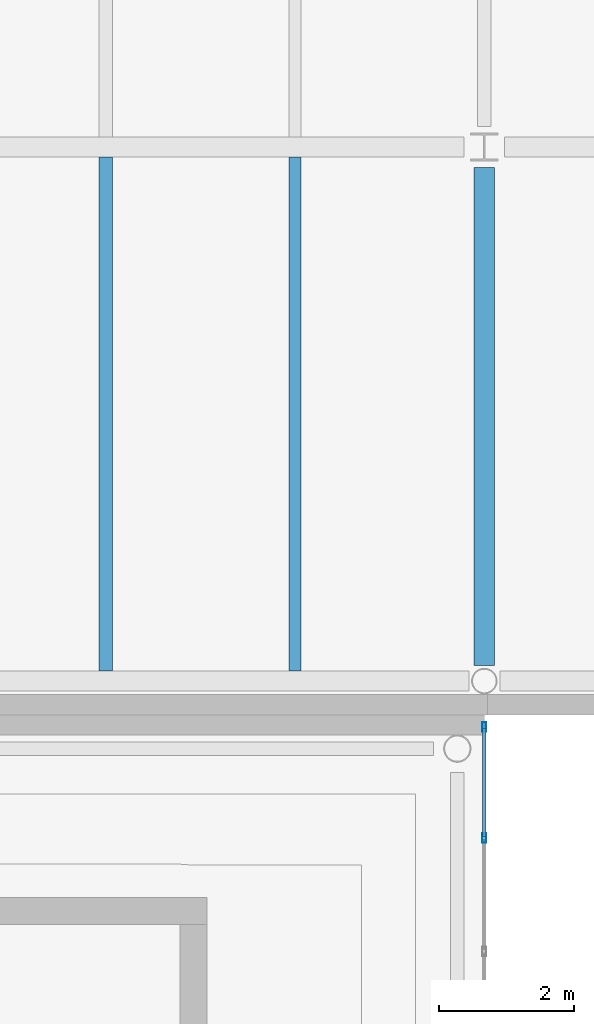
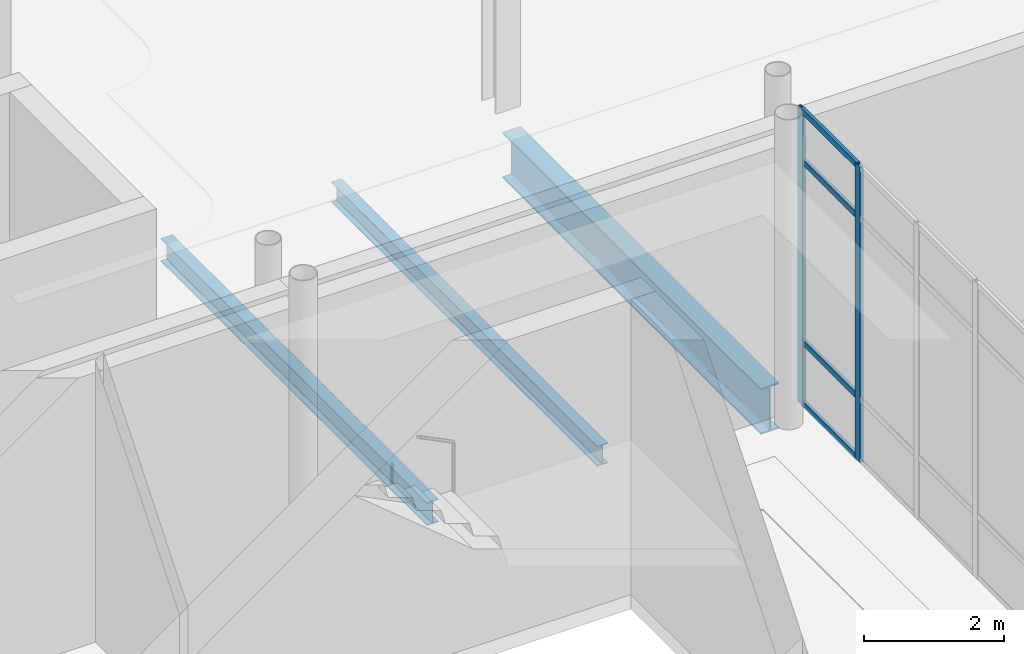
# One storey, part 44 of 110: 6 members, 3 beams, 1 element without a shape of its own.
"""IFC4 building model written with IfcOpenShell, lengths in metres."""

from ifc_helpers import new_model, si_unit, direction, frame, origin, origin_2d, place, context, subcontext, project, spatial, hollow_rectangle, i_section, extrude, material, layer, layer_set, material_profile, profile_set, type_object, element, aggregate, save


model = new_model("IFC4")

# Units and contexts
model_context = context("Model", 3, precision=1e-05, world=origin(), true_north=direction((0.0, 1.0)))
body_context = subcontext(model_context, "Body", "Model", "MODEL_VIEW")
ifc_project = project(units=[si_unit("LENGTHUNIT", "METRE"), si_unit("AREAUNIT", "SQUARE_METRE"), si_unit("VOLUMEUNIT", "CUBIC_METRE"), si_unit("PLANEANGLEUNIT", "RADIAN"), si_unit("MASSUNIT", "GRAM", prefix="KILO"), si_unit("THERMODYNAMICTEMPERATUREUNIT", "KELVIN")], contexts=[model_context])

# Site, building, storey
site_placement = place(None, origin())
site = spatial("IfcSite", under=ifc_project, at=site_placement, CompositionType="ELEMENT")
building_placement = place(site_placement, origin())
building = spatial("IfcBuilding", under=site, at=building_placement, Name="Lustrewick Department Store", CompositionType="ELEMENT")
storey_placement = place(building_placement, frame((0.0, 0.0, 6.0)))
storey = spatial("IfcBuildingStorey", under=building, at=storey_placement, Name="L02", CompositionType="ELEMENT", Elevation=6.0)

# Beams
ifc_material_1 = material(Name="Structural steel Q355B", Category="steel")
ifc_material_profile_1 = material_profile(ifc_material_1, i_section(OverallWidth=0.198974609375, OverallDepth=0.39599609375, WebThickness=0.007080078125, FlangeThickness=0.010986328125, FilletRadius=0.013916015625, at=origin_2d()), Name="HN 396x199x7x11")
ifc_profile_set_1 = profile_set([ifc_material_profile_1], Name="Structural steel Q355B")
beam_type_1 = type_object("IfcBeamType", Name="B06", PredefinedType="JOIST", material=ifc_profile_set_1)
beam_1_placement = place(storey_placement, frame((145.60009765625, 51.050048828125, -0.452880859375), z_axis=(0.0, 1.0, 0.0), x_axis=(-1.0, 0.0, 0.0)))
element("IfcBeam", 1, at=beam_1_placement, inside=storey, type_object=beam_type_1, Name="L02 V4 Secondary Joist B06", PredefinedType="JOIST", context=body_context, shape_type="SweptSolid", body=[
    extrude(i_section(OverallWidth=0.198974609375, OverallDepth=0.39599609375, WebThickness=0.007080078125, FlangeThickness=0.010986328125, FilletRadius=0.013916015625, at=origin_2d()), origin(), (0.0, 0.0, 1.0), 7.599853515625),
])
ifc_material_profile_2 = material_profile(ifc_material_1, i_section(OverallWidth=0.175048828125, OverallDepth=0.35009765625, WebThickness=0.007080078125, FlangeThickness=0.010986328125, FilletRadius=0.012939453125, at=origin_2d()), Name="HN 350x175x7x11")
ifc_profile_set_2 = profile_set([ifc_material_profile_2], Name="Structural steel Q355B")
beam_type_2 = type_object("IfcBeamType", Name="B09", PredefinedType="JOIST", material=ifc_profile_set_2)
beam_2_placement = place(storey_placement, frame((148.39990234375, 51.050048828125, -0.429931640625), z_axis=(0.0, 1.0, 0.0), x_axis=(-1.0, 0.0, 0.0)))
element("IfcBeam", 2, at=beam_2_placement, inside=storey, type_object=beam_type_2, Name="L02 V4 Secondary Joist B09", PredefinedType="JOIST", context=body_context, shape_type="SweptSolid", body=[
    extrude(i_section(OverallWidth=0.175048828125, OverallDepth=0.35009765625, WebThickness=0.007080078125, FlangeThickness=0.010986328125, FilletRadius=0.012939453125, at=origin_2d()), origin(), (0.0, 0.0, 1.0), 7.599853515625),
])

# Curtain wall, members
ifc_material_2 = material(Name="Thermally broken aluminium 6063-T5", Category="aluminium")
ifc_layer = layer(ifc_material_2, 0.139892578125, Name="Thermally broken aluminium 6063-T5")
ifc_layer_set = layer_set([ifc_layer], Name="Thermally broken aluminium 6063-T5")
curtain_wall_type = type_object("IfcCurtainWallType", Name="CW06", PredefinedType="NOTDEFINED", material=ifc_layer_set)
curtain_wall_placement = place(storey_placement, origin())
curtain_wall = element("IfcCurtainWall", 3, at=curtain_wall_placement, inside=storey, type_object=curtain_wall_type, Name="L02 V3 Curtain Wall CW06", PredefinedType="NOTDEFINED")
ifc_material_profile_3 = material_profile(ifc_material_2, hollow_rectangle(XDim=0.054931640625, YDim=0.139892578125, WallThickness=0.00341796875, at=origin_2d()), Name="ALU-M 55x140x3.5")
ifc_profile_set_3 = profile_set([ifc_material_profile_3], Name="Thermally broken aluminium 6063-T5")
member_type_1 = type_object("IfcMemberType", Name="CW06-M1", PredefinedType="MULLION", material=ifc_profile_set_3)
member_1_placement = place(storey_placement, frame((151.199951171875, 48.575927734375, 0.0), z_axis=(0.0, 0.0, 1.0), x_axis=(-1.0, 0.0, 0.0)))
member_1 = element("IfcMember", 4, at=member_1_placement, type_object=member_type_1, Name="CW06 mullion 5", PredefinedType="MULLION", context=body_context, shape_type="SweptSolid", body=[
    extrude(hollow_rectangle(XDim=0.054931640625, YDim=0.139892578125, WallThickness=0.00341796875, at=origin_2d()), origin(), (0.0, 0.0, 1.0), 5.14501953125),
])
member_2_placement = place(storey_placement, frame((151.199951171875, 50.222412109375, 0.0), z_axis=(0.0, 0.0, 1.0), x_axis=(-1.0, 0.0, 0.0)))
member_2 = element("IfcMember", 5, at=member_2_placement, type_object=member_type_1, Name="CW06 mullion 6", PredefinedType="MULLION", context=body_context, shape_type="SweptSolid", body=[
    extrude(hollow_rectangle(XDim=0.054931640625, YDim=0.139892578125, WallThickness=0.00341796875, at=origin_2d()), origin(), (0.0, 0.0, 1.0), 5.14501953125),
])
ifc_material_profile_4 = material_profile(ifc_material_2, hollow_rectangle(XDim=0.054931640625, YDim=0.10009765625, WallThickness=0.0029296875, at=origin_2d()), Name="ALU-T 55x100x3")
ifc_profile_set_4 = profile_set([ifc_material_profile_4], Name="Thermally broken aluminium 6063-T5")
member_type_2 = type_object("IfcMemberType", Name="CW06-T1", PredefinedType="USERDEFINED", material=ifc_profile_set_4)
member_3_placement = place(storey_placement, frame((151.199951171875, 48.603515625, 0.027587890625), z_axis=(0.0, 1.0, 0.0), x_axis=(-1.0, 0.0, 0.0)))
member_3 = element("IfcMember", 6, at=member_3_placement, type_object=member_type_2, Name="CW06 transom 5.1", ObjectType="TRANSOM", PredefinedType="USERDEFINED", context=body_context, shape_type="SweptSolid", body=[
    extrude(hollow_rectangle(XDim=0.054931640625, YDim=0.10009765625, WallThickness=0.0029296875, at=origin_2d()), origin(), (0.0, 0.0, 1.0), 1.591552734375),
])
member_4_placement = place(storey_placement, frame((151.199951171875, 48.603515625, 1.10009765625), z_axis=(0.0, 1.0, 0.0), x_axis=(-1.0, 0.0, 0.0)))
member_4 = element("IfcMember", 7, at=member_4_placement, type_object=member_type_2, Name="CW06 transom 5.2", ObjectType="TRANSOM", PredefinedType="USERDEFINED", context=body_context, shape_type="SweptSolid", body=[
    extrude(hollow_rectangle(XDim=0.054931640625, YDim=0.10009765625, WallThickness=0.0029296875, at=origin_2d()), origin(), (0.0, 0.0, 1.0), 1.591552734375),
])
member_5_placement = place(storey_placement, frame((151.199951171875, 48.603515625, 4.2451171875), z_axis=(0.0, 1.0, 0.0), x_axis=(-1.0, 0.0, 0.0)))
member_5 = element("IfcMember", 8, at=member_5_placement, type_object=member_type_2, Name="CW06 transom 5.3", ObjectType="TRANSOM", PredefinedType="USERDEFINED", context=body_context, shape_type="SweptSolid", body=[
    extrude(hollow_rectangle(XDim=0.054931640625, YDim=0.10009765625, WallThickness=0.0029296875, at=origin_2d()), origin(), (0.0, 0.0, 1.0), 1.591552734375),
])
member_6_placement = place(storey_placement, frame((151.199951171875, 48.603515625, 5.117431640625), z_axis=(0.0, 1.0, 0.0), x_axis=(-1.0, 0.0, 0.0)))
member_6 = element("IfcMember", 9, at=member_6_placement, type_object=member_type_2, Name="CW06 transom 5.4", ObjectType="TRANSOM", PredefinedType="USERDEFINED", context=body_context, shape_type="SweptSolid", body=[
    extrude(hollow_rectangle(XDim=0.054931640625, YDim=0.10009765625, WallThickness=0.0029296875, at=origin_2d()), origin(), (0.0, 0.0, 1.0), 1.591552734375),
])
aggregate(curtain_wall, [member_1, member_2, member_3, member_4, member_5, member_6])

# Beam
ifc_material_profile_5 = material_profile(ifc_material_1, i_section(OverallWidth=0.300048828125, OverallDepth=0.800048828125, WebThickness=0.013916015625, FlangeThickness=0.02587890625, FilletRadius=0.02197265625, at=origin_2d()), Name="HN 800x300x14x26")
ifc_profile_set_5 = profile_set([ifc_material_profile_5], Name="Structural steel Q355B")
beam_type_3 = type_object("IfcBeamType", Name="G05", PredefinedType="BEAM", material=ifc_profile_set_5)
beam_3_placement = place(storey_placement, frame((151.199951171875, 51.12841796875, -0.655029296875), z_axis=(0.0, 1.0, 0.0), x_axis=(-1.0, 0.0, 0.0)))
element("IfcBeam", 10, at=beam_3_placement, inside=storey, type_object=beam_type_3, Name="L02 V4 Girder G05", PredefinedType="BEAM", context=body_context, shape_type="SweptSolid", body=[
    extrude(i_section(OverallWidth=0.300048828125, OverallDepth=0.800048828125, WebThickness=0.013916015625, FlangeThickness=0.02587890625, FilletRadius=0.02197265625, at=origin_2d()), origin(), (0.0, 0.0, 1.0), 7.37158203125),
])

save(model, "model.ifc")
